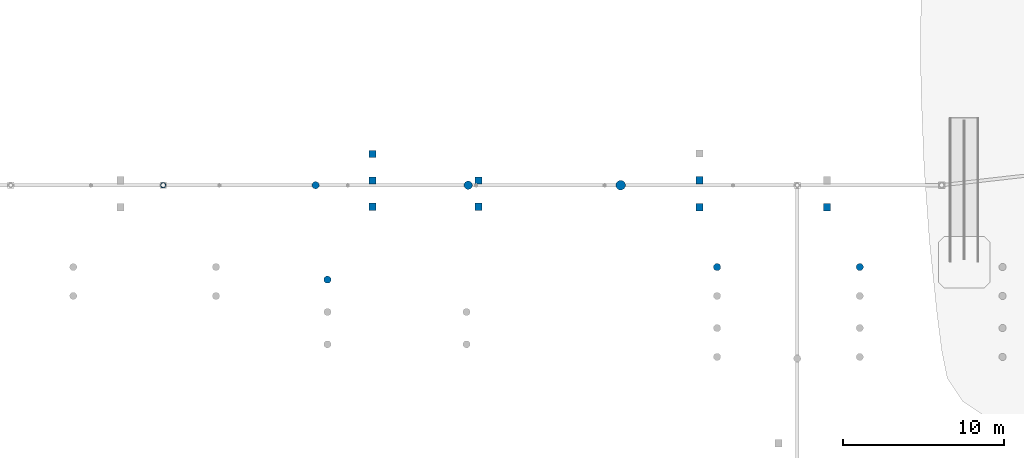
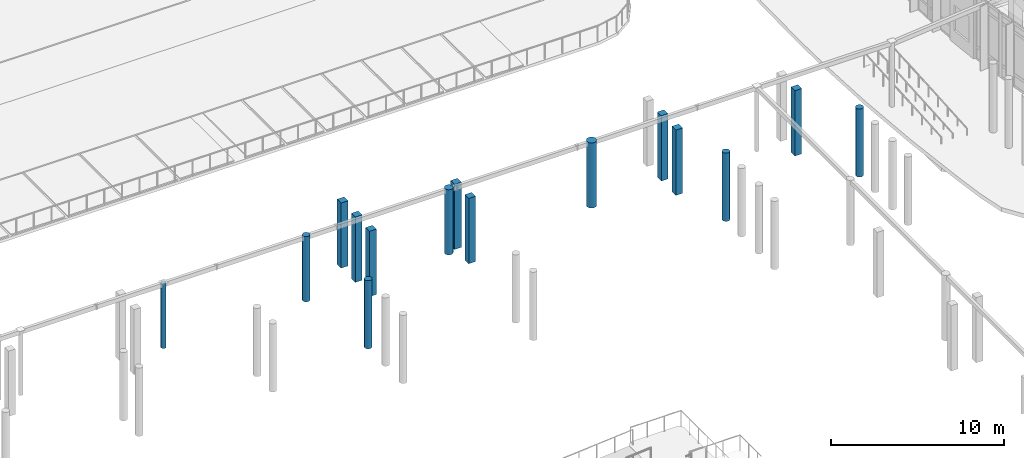
# One storey, part 11 of 120: 15 columns.
"""IFC4 building model written with IfcOpenShell, lengths in metres."""

import ifcopenshell
import ifcopenshell.guid

model = None  # the IFC model being written
_history = None  # IfcOwnerHistory: only IFC2X3 demands one
_inside = {}  # id of a spatial element -> (the spatial element, [elements in it])
_under = {}  # id of a project, library or spatial element -> (it, [spatial elements below it])
_declared = {}  # id of a project -> (the project, [libraries it declares])
_typed = {}  # id of a type object -> (the type object, [elements of that type])
_made_of = {}  # id of a material, layer set ... -> (it, [elements and type objects made of it])


def new_model(schema):
    """Start an empty IFC model of exactly this schema.

    Asked for "IFC4X3", IfcOpenShell would pick the latest addendum, in which some entities
    have other attributes; the version numbers below select the first issue.
    IFC2X3 requires an IfcOwnerHistory on every rooted entity: one is made here for all.
    """
    global model, _history
    if schema == "IFC4X3":
        model = ifcopenshell.file(schema_version=(4, 3, 0, 0))
    else:
        model = ifcopenshell.file(schema=schema)
    _inside.clear()
    _under.clear()
    _declared.clear()
    _typed.clear()
    _made_of.clear()
    _history = None
    if model.schema == "IFC2X3":
        org = make("IfcOrganization", Name="unknown")
        user = make(
            "IfcPersonAndOrganization",
            ThePerson=make("IfcPerson", FamilyName="unknown"),
            TheOrganization=org,
        )
        app = make(
            "IfcApplication",
            ApplicationDeveloper=org,
            Version="unknown",
            ApplicationFullName="unknown",
            ApplicationIdentifier="unknown",
        )
        _history = make(
            "IfcOwnerHistory",
            OwningUser=user,
            OwningApplication=app,
            ChangeAction="ADDED",
            CreationDate=0,
        )
    return model


def make(cls, **values):
    """One entity of the class cls with the attributes given. An attribute that is None is left unset."""
    return model.create_entity(
        cls, **{name: value for name, value in values.items() if value is not None}
    )


def rooted(cls, **values):
    """An entity with a GlobalId (a new one), such as an element, a storey or a relation."""
    return make(cls, GlobalId=ifcopenshell.guid.new(), OwnerHistory=_history, **values)


def si_unit(unit_type, name, prefix=None):
    """IfcSIUnit, for example si_unit("LENGTHUNIT", "METRE", prefix="MILLI")."""
    return make("IfcSIUnit", UnitType=unit_type, Prefix=prefix, Name=name)


def assignment(units):
    """IfcUnitAssignment: the units of a project."""
    return None if units is None else make("IfcUnitAssignment", Units=units)


def point(xyz):
    """IfcCartesianPoint."""
    return None if xyz is None else make("IfcCartesianPoint", Coordinates=xyz)


def direction(xyz):
    """IfcDirection."""
    return None if xyz is None else make("IfcDirection", DirectionRatios=xyz)


def frame(location, z_axis=None, x_axis=None):
    """IfcAxis2Placement3D, a coordinate frame: its origin and axes. An axis left out is left unset."""
    return make(
        "IfcAxis2Placement3D",
        Location=point(location),
        Axis=direction(z_axis),
        RefDirection=direction(x_axis),
    )


def frame_2d(location, x_axis=None):
    """IfcAxis2Placement2D, a coordinate frame in the plane: its origin and x axis."""
    return make(
        "IfcAxis2Placement2D", Location=point(location), RefDirection=direction(x_axis)
    )


def origin():
    """The frame at (0, 0, 0) with its axes left unset."""
    return frame((0.0, 0.0, 0.0))


def origin_2d():
    """The frame at (0, 0) in the plane with its x axis left unset."""
    return frame_2d((0.0, 0.0))


def place(relative_to, where):
    """IfcLocalPlacement: puts the frame where relative to a parent placement (None: the world)."""
    return make(
        "IfcLocalPlacement", PlacementRelTo=relative_to, RelativePlacement=where
    )


def context(
    kind, dimensions, precision=None, world=None, true_north=None, identifier=None
):
    """IfcGeometricRepresentationContext, for example the 3D "Model" context."""
    return make(
        "IfcGeometricRepresentationContext",
        ContextIdentifier=identifier,
        ContextType=kind,
        CoordinateSpaceDimension=dimensions,
        Precision=precision,
        WorldCoordinateSystem=world,
        TrueNorth=true_north,
    )


def subcontext(parent, identifier, kind, view, scale=None):
    """IfcGeometricRepresentationSubContext, for example "Body" below "Model"."""
    return make(
        "IfcGeometricRepresentationSubContext",
        ContextIdentifier=identifier,
        ContextType=kind,
        ParentContext=parent,
        TargetScale=scale,
        TargetView=view,
    )


def project(units=None, contexts=None):
    """IfcProject with its units and contexts."""
    return rooted(
        "IfcProject",
        Name="project",
        RepresentationContexts=contexts,
        UnitsInContext=assignment(units),
    )


def spatial(cls, under=None, at=None, **own):
    """A site, building, storey or space (cls), placed at a placement, below another one or the project."""
    s = rooted(cls, ObjectPlacement=at, **own)
    if under is not None:
        _under.setdefault(under.id(), (under, []))[1].append(s)
    return s


def profile(cls, at=None, kind="AREA", **sizes):
    """A parametric profile (cls). Its sizes go by their IFC names, for example OverallWidth=200.0."""
    return make(cls, ProfileType=kind, Position=at, **sizes)


def rectangle(**sizes):
    """IfcRectangleProfileDef."""
    return profile("IfcRectangleProfileDef", **sizes)


def circle(**sizes):
    """IfcCircleProfileDef."""
    return profile("IfcCircleProfileDef", **sizes)


def hollow_circle(**sizes):
    """IfcCircleHollowProfileDef."""
    return profile("IfcCircleHollowProfileDef", **sizes)


def extrude(swept, where, along, depth):
    """IfcExtrudedAreaSolid: the profile swept, set in the frame where, extruded along a direction by depth."""
    return make(
        "IfcExtrudedAreaSolid",
        SweptArea=swept,
        Position=where,
        ExtrudedDirection=direction(along),
        Depth=depth,
    )


def shape(context_of_items, identifier, shape_type, items):
    """IfcShapeRepresentation: the items that make up one representation, for example the "Body"."""
    return make(
        "IfcShapeRepresentation",
        ContextOfItems=context_of_items,
        RepresentationIdentifier=identifier,
        RepresentationType=shape_type,
        Items=items,
    )


def material(Name=None, Category=None):
    """IfcMaterial."""
    return make("IfcMaterial", Name=Name, Category=Category)


def material_profile(
    of_material, cross_section, Name=None, Category=None, Priority=None
):
    """IfcMaterialProfile: a cross section and its material."""
    return make(
        "IfcMaterialProfile",
        Name=Name,
        Material=of_material,
        Profile=cross_section,
        Priority=Priority,
        Category=Category,
    )


def profile_set(profiles, Name=None, composite=None):
    """IfcMaterialProfileSet."""
    return make(
        "IfcMaterialProfileSet",
        Name=Name,
        MaterialProfiles=profiles,
        CompositeProfile=composite,
    )


def made_of(thing, what):
    """Note that an element or type object is made of a material, layer set ...; save() writes the relation."""
    if what is not None:
        _made_of.setdefault(what.id(), (what, []))[1].append(thing)
    return thing


def type_object(cls, material=None, **own):
    """A type object (cls), such as IfcWallType, which elements share."""
    return made_of(rooted(cls, **own), material)


def element(
    cls,
    number,
    at=None,
    inside=None,
    cuts=None,
    type_object=None,
    material=None,
    context=None,
    identifier="Body",
    shape_type=None,
    held_by="IfcProductDefinitionShape",
    body=None,
    shapes=None,
    **own,
):
    """One element of the class cls, such as IfcWall. Its Tag is "e" and its number.

    at: its placement. inside: the storey or other place that contains it. cuts: it is an
    opening in that element (IfcRelVoidsElement). A single representation is given by context,
    identifier, shape_type and body (its items); several are given by shapes. held_by: the class
    of the entity that holds the representations. save() writes the other relations.
    """
    e = rooted(cls, Tag="e%d" % number, ObjectPlacement=at, **own)
    if body is not None:
        shapes = [shape(context, identifier, shape_type, body)]
    if shapes is not None:
        e.Representation = make(held_by, Representations=shapes)
    if inside is not None:
        _inside.setdefault(inside.id(), (inside, []))[1].append(e)
    if cuts is not None:
        rooted(
            "IfcRelVoidsElement", RelatingBuildingElement=cuts, RelatedOpeningElement=e
        )
    if type_object is not None:
        _typed.setdefault(type_object.id(), (type_object, []))[1].append(e)
    return made_of(e, material)


def aggregate(whole, parts):
    """IfcRelAggregates: a whole, such as a stair, and the parts it consists of."""
    return rooted("IfcRelAggregates", RelatingObject=whole, RelatedObjects=parts)


def save(model, path):
    """Write the relations noted so far, then the file.

    IfcRelAggregates (storeys below a building ...), IfcRelContainedInSpatialStructure (elements
    in a storey), IfcRelDefinesByType, IfcRelAssociatesMaterial and IfcRelDeclares: one each for
    every whole, place, type object, material and project.
    """
    for whole, parts in _under.values():
        aggregate(whole, parts)
    for where, things in _inside.values():
        rooted(
            "IfcRelContainedInSpatialStructure",
            RelatedElements=things,
            RelatingStructure=where,
        )
    for kind, things in _typed.values():
        rooted("IfcRelDefinesByType", RelatedObjects=things, RelatingType=kind)
    for what, things in _made_of.values():
        rooted("IfcRelAssociatesMaterial", RelatedObjects=things, RelatingMaterial=what)
    for by, libraries in _declared.values():
        rooted("IfcRelDeclares", RelatingContext=by, RelatedDefinitions=libraries)
    model.write(path)


model = new_model("IFC4")

# Units and contexts
model_context = context("Model", 3, precision=1e-05, world=origin(), true_north=direction((0.0, 1.0)))
body_context = subcontext(model_context, "Body", "Model", "MODEL_VIEW")
ifc_project = project(units=[si_unit("LENGTHUNIT", "METRE"), si_unit("AREAUNIT", "SQUARE_METRE"), si_unit("VOLUMEUNIT", "CUBIC_METRE"), si_unit("PLANEANGLEUNIT", "RADIAN"), si_unit("MASSUNIT", "GRAM", prefix="KILO")], contexts=[model_context])

# Site, building, storey
site_placement = place(None, origin())
site = spatial("IfcSite", under=ifc_project, at=site_placement, CompositionType="ELEMENT")
building_placement = place(site_placement, origin())
building = spatial("IfcBuilding", under=site, at=building_placement, Name="Corveleigh Park Community Centre", CompositionType="ELEMENT")
storey_placement = place(building_placement, origin())
storey = spatial("IfcBuildingStorey", under=building, at=storey_placement, Name="L00", CompositionType="ELEMENT", Elevation=0.0)

# Columns
ifc_material_1 = material(Name="Concrete C40/50", Category="concrete")
ifc_material_profile_1 = material_profile(ifc_material_1, rectangle(XDim=0.449951171875, YDim=0.449951171875, at=origin_2d()), Name="RC-450x450", Category="concrete")
ifc_profile_set_1 = profile_set([ifc_material_profile_1], Name="Concrete C40/50")
column_type_1 = type_object("IfcColumnType", Name="COL-RC-450x450", PredefinedType="COLUMN", material=ifc_profile_set_1)
for number, where, z_axis, x_axis, name in (
    (1, (85.548095703125, 71.4541015625, 0.0), (0.0, 0.0, 1.0), (1.0, 0.0, 0.0), "External deck support pier 224 L00"),
    (2, (85.548095703125, 73.10009765625, 0.0), (0.0, 0.0, 1.0), (1.0, 0.0, 0.0), "External deck support pier 225 L00"),
    (3, (85.548095703125, 74.74609375, 0.0), (0.0, 0.0, 1.0), (1.0, 0.0, 0.0), "External deck support pier 226 L00"),
    (4, (92.14990234375, 71.4541015625, 0.0), (0.0, 0.0, 1.0), (1.0, 0.0, 0.0), "External deck support pier 227 L00"),
    (5, (92.14990234375, 73.10009765625, 0.0), (0.0, 0.0, 1.0), (1.0, 0.0, 0.0), "External deck support pier 228 L00"),
    (6, (105.9189453125, 71.431884765625, 0.0), (0.0, 0.0, 1.0), (1.0, 0.0, 0.0), "External deck support pier 229 L00"),
    (7, (105.9189453125, 73.10302734375, 0.0), (0.0, 0.0, 1.0), (1.0, 0.0, 0.0), "External deck support pier 230 L00"),
    (8, (113.85009765625, 71.431884765625, 0.0), (0.0, 0.0, 1.0), (1.0, 0.0, 0.0), "External deck support pier 232 L00"),
):
    element("IfcColumn", number, at=place(storey_placement, frame(where, z_axis=z_axis, x_axis=x_axis)), inside=storey, type_object=column_type_1, Name=name, PredefinedType="COLUMN", context=body_context, shape_type="SweptSolid", body=[
        extrude(rectangle(XDim=0.449951171875, YDim=0.449951171875, at=origin_2d()), origin(), (0.0, 0.0, 1.0), 4.595947265625),
    ])
ifc_material_profile_2 = material_profile(ifc_material_1, circle(Radius=0.22509765625, at=origin_2d()), Name="RC-450D", Category="concrete")
ifc_profile_set_2 = profile_set([ifc_material_profile_2], Name="Concrete C40/50")
column_type_2 = type_object("IfcColumnType", Name="COL-RCE-450D", PredefinedType="COLUMN", material=ifc_profile_set_2)
column_1_placement = place(storey_placement, frame((82.0, 72.800048828125, 0.0), z_axis=(0.0, 0.0, 1.0), x_axis=(1.0, 0.0, 0.0)))
element("IfcColumn", 9, at=column_1_placement, inside=storey, type_object=column_type_2, Name="Column V5-N3 L00", PredefinedType="COLUMN", context=body_context, shape_type="SweptSolid", body=[
    extrude(circle(Radius=0.22509765625, at=origin_2d()), origin(), (0.0, 0.0, 1.0), 4.587890625),
])
for number, where, z_axis, x_axis, name in (
    (10, (115.89990234375, 67.699951171875, 0.0), (0.0, 0.0, 1.0), (1.0, 0.0, 0.0), "External deck support pier 99 L00"),
    (11, (107.008056640625, 67.699951171875, 0.0), (0.0, 0.0, 1.0), (1.0, 0.0, 0.0), "External deck support pier 101 L00"),
    (12, (82.73388671875, 66.916015625, 0.0), (0.0, 0.0, 1.0), (1.0, 0.0, 0.0), "External deck support pier 244 L00"),
):
    element("IfcColumn", number, at=place(storey_placement, frame(where, z_axis=z_axis, x_axis=x_axis)), inside=storey, type_object=column_type_2, Name=name, PredefinedType="COLUMN", context=body_context, shape_type="SweptSolid", body=[
        extrude(circle(Radius=0.22509765625, at=origin_2d()), origin(), (0.0, 0.0, 1.0), 4.800048828125),
    ])
ifc_material_profile_3 = material_profile(ifc_material_1, circle(Radius=0.260009765625, at=origin_2d()), Name="RC-520D", Category="concrete")
ifc_profile_set_3 = profile_set([ifc_material_profile_3], Name="Concrete C40/50")
column_type_3 = type_object("IfcColumnType", Name="COL-RCE-520D", PredefinedType="COLUMN", material=ifc_profile_set_3)
column_2_placement = place(storey_placement, frame((91.5, 72.800048828125, 0.0), z_axis=(0.0, 0.0, 1.0), x_axis=(1.0, 0.0, 0.0)))
element("IfcColumn", 13, at=column_2_placement, inside=storey, type_object=column_type_3, Name="Column V5-N4 L00", PredefinedType="COLUMN", context=body_context, shape_type="SweptSolid", body=[
    extrude(circle(Radius=0.260009765625, at=origin_2d()), origin(), (0.0, 0.0, 1.0), 4.587890625),
])
ifc_material_profile_4 = material_profile(ifc_material_1, circle(Radius=0.300048828125, at=origin_2d()), Name="RC-600D", Category="concrete")
ifc_profile_set_4 = profile_set([ifc_material_profile_4], Name="Concrete C40/50")
column_type_4 = type_object("IfcColumnType", Name="COL-RCE-600D", PredefinedType="COLUMN", material=ifc_profile_set_4)
column_3_placement = place(storey_placement, frame((101.0, 72.800048828125, 0.0), z_axis=(0.0, 0.0, 1.0), x_axis=(1.0, 0.0, 0.0)))
element("IfcColumn", 14, at=column_3_placement, inside=storey, type_object=column_type_4, Name="Column V5-N5 L00", PredefinedType="COLUMN", context=body_context, shape_type="SweptSolid", body=[
    extrude(circle(Radius=0.300048828125, at=origin_2d()), origin(), (0.0, 0.0, 1.0), 4.587890625),
])
ifc_material_2 = material(Name="Steel S355", Category="steel")
ifc_material_profile_5 = material_profile(ifc_material_2, hollow_circle(Radius=0.161865234375, WallThickness=0.01611328125, at=origin_2d()), Name="CHS 323.9x16.0", Category="steel")
ifc_profile_set_5 = profile_set([ifc_material_profile_5], Name="Steel S355")
column_type_5 = type_object("IfcColumnType", Name="COL-STL-CHS324", PredefinedType="COLUMN", material=ifc_profile_set_5)
column_4_placement = place(storey_placement, frame((72.5, 72.800048828125, 0.0), z_axis=(0.0, 0.0, 1.0), x_axis=(1.0, 0.0, 0.0)))
element("IfcColumn", 15, at=column_4_placement, inside=storey, type_object=column_type_5, Name="Column V5-N2 L00", PredefinedType="COLUMN", context=body_context, shape_type="SweptSolid", body=[
    extrude(hollow_circle(Radius=0.161865234375, WallThickness=0.01611328125, at=origin_2d()), origin(), (0.0, 0.0, 1.0), 4.56591796875),
])

save(model, "model.ifc")
